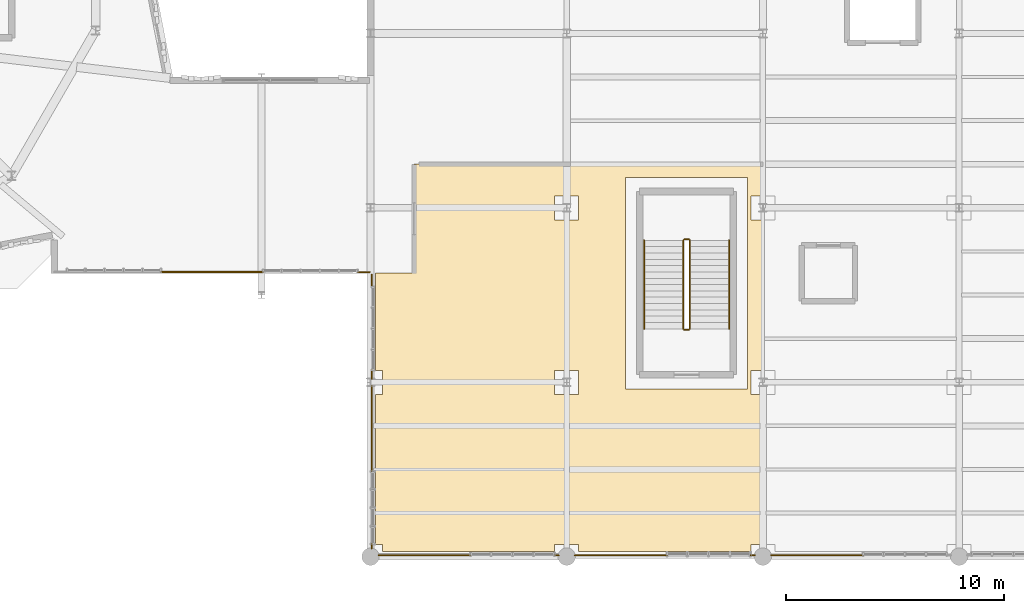
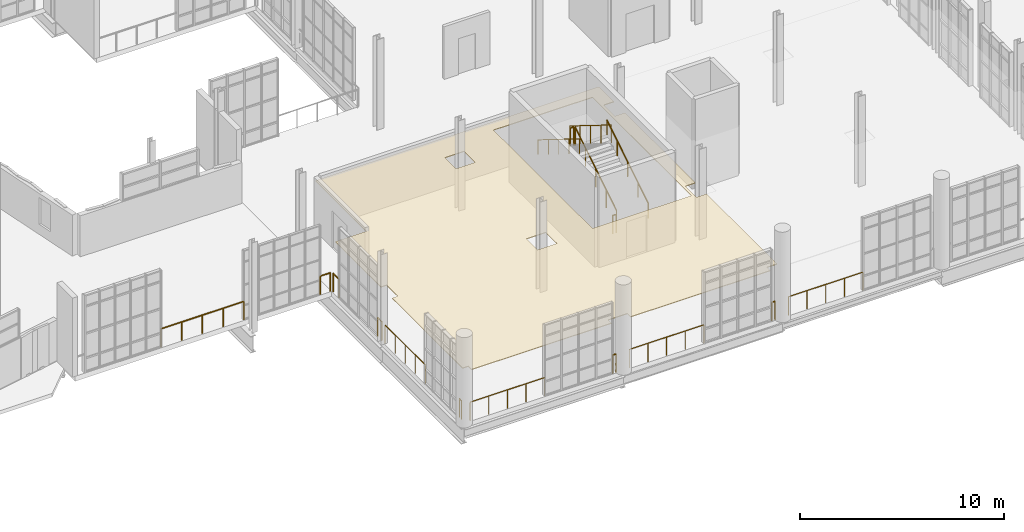
# One storey, part 135 of 142: 17 railings, 1 covering.
"""IFC4 building model written with IfcOpenShell, lengths in metres."""

from ifc_helpers import new_model, si_unit, direction, frame, origin, origin_2d, place, context, subcontext, project, spatial, polyline, circle, outline, extrude, material, layer, layer_set, type_object, element, save


model = new_model("IFC4")

# Units and contexts
model_context = context("Model", 3, precision=1e-05, world=origin(), true_north=direction((0.0, 1.0)))
body_context = subcontext(model_context, "Body", "Model", "MODEL_VIEW")
ifc_project = project(units=[si_unit("LENGTHUNIT", "METRE"), si_unit("AREAUNIT", "SQUARE_METRE"), si_unit("VOLUMEUNIT", "CUBIC_METRE"), si_unit("PLANEANGLEUNIT", "RADIAN"), si_unit("MASSUNIT", "GRAM", prefix="KILO"), si_unit("THERMODYNAMICTEMPERATUREUNIT", "KELVIN"), si_unit("POWERUNIT", "WATT")], contexts=[model_context])

# Site, building, storey
site_placement = place(None, origin())
site = spatial("IfcSite", under=ifc_project, at=site_placement, CompositionType="ELEMENT")
building_placement = place(site_placement, origin())
building = spatial("IfcBuilding", under=site, at=building_placement, Name="Zelmaris Science Centre", CompositionType="ELEMENT")
storey_placement = place(building_placement, frame((0.0, 0.0, 5.39990234375)))
storey = spatial("IfcBuildingStorey", under=building, at=storey_placement, Name="L01", CompositionType="ELEMENT", Elevation=5.39990234375)

# Covering
ifc_material_1 = material(Name="Perforated mineral-fibre acoustic ceiling tile")
ifc_layer = layer(ifc_material_1, 0.0400390625, Name="Perforated mineral-fibre acoustic ceiling tile")
ifc_layer_set = layer_set([ifc_layer], Name="Perforated mineral-fibre acoustic ceiling tile")
covering_type = type_object("IfcCoveringType", Name="Acoustic Ceiling CLG-01 40mm", PredefinedType="CEILING", material=ifc_layer_set)
covering_placement = place(storey_placement, frame((0.0, 0.0, 2.85009765625)))
element("IfcCovering", 1, at=covering_placement, inside=storey, type_object=covering_type, Name="L01 Marine Biology Wet Laboratory acoustic ceiling", PredefinedType="CEILING", context=body_context, shape_type="SweptSolid", body=[
    extrude(outline(polyline([(126.001953125, 26.02001953125), (126.00390625, 26.01953125), (126.005859375, 26.01904296875), (126.0078125, 26.0185546875), (126.009521484375, 26.017578125), (126.010986328125, 26.0166015625), (126.0126953125, 26.015380859375), (126.01416015625, 26.01416015625), (126.015380859375, 26.0126953125), (126.0166015625, 26.010986328125), (126.017578125, 26.009521484375), (126.0185546875, 26.0078125), (126.01904296875, 26.005859375), (126.01953125, 26.00390625), (126.02001953125, 26.001953125), (126.02001953125, 26.0), (126.02001953125, 24.550048828125), (125.449951171875, 24.550048828125), (125.449951171875, 23.449951171875), (126.02001953125, 23.449951171875), (126.02001953125, 16.550048828125), (125.449951171875, 16.550048828125), (125.449951171875, 15.449951171875), (126.02001953125, 15.449951171875), (126.02001953125, 8.550048828125), (125.449951171875, 8.550048828125), (125.449951171875, 8.22998046875), (117.550048828125, 8.22998046875), (117.550048828125, 8.550048828125), (116.449951171875, 8.550048828125), (116.449951171875, 8.22998046875), (108.550048828125, 8.22998046875), (108.550048828125, 8.550048828125), (108.22998046875, 8.550048828125), (108.22998046875, 15.449951171875), (108.550048828125, 15.449951171875), (108.550048828125, 16.550048828125), (108.22998046875, 16.550048828125), (108.22998046875, 20.9951171875), (108.22998046875, 20.9970703125), (108.23046875, 20.998779296875), (108.23095703125, 21.000732421875), (108.2314453125, 21.002685546875), (108.232421875, 21.00439453125), (108.2333984375, 21.006103515625), (108.234619140625, 21.0078125), (108.23583984375, 21.009033203125), (108.2373046875, 21.010498046875), (108.239013671875, 21.01171875), (108.240478515625, 21.0126953125), (108.2421875, 21.013427734375), (108.244140625, 21.01416015625), (108.24609375, 21.0146484375), (108.248046875, 21.014892578125), (108.25, 21.014892578125), (109.98486328125, 21.0185546875), (109.985107421875, 26.0), (109.985107421875, 26.001953125), (109.9853515625, 26.00390625), (109.98583984375, 26.005859375), (109.986572265625, 26.0078125), (109.9873046875, 26.009521484375), (109.98828125, 26.010986328125), (109.989501953125, 26.0126953125), (109.990966796875, 26.01416015625), (109.9921875, 26.015380859375), (109.993896484375, 26.0166015625), (109.99560546875, 26.017578125), (109.997314453125, 26.0185546875), (109.999267578125, 26.01904296875), (110.001220703125, 26.01953125), (110.0029296875, 26.02001953125), (110.0048828125, 26.02001953125), (126.0, 26.02001953125), (126.001953125, 26.02001953125)]), holes=[polyline([(119.699951171875, 25.39990234375), (119.699951171875, 15.699951171875), (125.300048828125, 15.699951171875), (125.300048828125, 25.39990234375), (119.699951171875, 25.39990234375)]), polyline([(116.449951171875, 15.449951171875), (117.550048828125, 15.449951171875), (117.550048828125, 16.550048828125), (116.449951171875, 16.550048828125), (116.449951171875, 15.449951171875)]), polyline([(117.550048828125, 23.449951171875), (117.550048828125, 24.550048828125), (116.449951171875, 24.550048828125), (116.449951171875, 23.449951171875), (117.550048828125, 23.449951171875)])]), origin(), (0.0, 0.0, 1.0), 0.0400390625),
])

# Railings
ifc_material_2 = material(Name="Architectural bronze alloy C28000")
railing_type_1 = type_object("IfcRailingType", Name="Balustrade GD-01 H1120", PredefinedType="BALUSTRADE", material=ifc_material_2)
railing_1_placement = place(storey_placement, frame((130.590087890625, 8.06005859375, 0.0)))
element("IfcRailing", 2, at=railing_1_placement, inside=storey, type_object=railing_type_1, Name="L01 Perimeter safety balustrade 81", PredefinedType="BALUSTRADE", context=body_context, shape_type="SweptSolid", body=[
    extrude(circle(Radius=0.02392578125, at=origin_2d()), frame((0.0, 0.0, 1.09619140625), z_axis=(-1.0, 0.0, 0.0), x_axis=(0.0, -1.0, 0.0)), (0.0, 0.0, 1.0), 4.219970703125),
    extrude(circle(Radius=0.02099609375, at=origin_2d()), origin(), (0.0, 0.0, 1.0), 1.072021484375),
    extrude(circle(Radius=0.02099609375, at=origin_2d()), frame((-1.054931640625, 0.0, 0.0)), (0.0, 0.0, 1.0), 1.072021484375),
    extrude(circle(Radius=0.02099609375, at=origin_2d()), frame((-2.10986328125, 0.0, 0.0)), (0.0, 0.0, 1.0), 1.072021484375),
    extrude(circle(Radius=0.02099609375, at=origin_2d()), frame((-3.1650390625, 0.0, 0.0)), (0.0, 0.0, 1.0), 1.072021484375),
    extrude(circle(Radius=0.02099609375, at=origin_2d()), frame((-4.219970703125, 0.0, 0.0)), (0.0, 0.0, 1.0), 1.072021484375),
])
railing_2_placement = place(storey_placement, frame((125.6298828125, 8.06005859375, 0.0)))
element("IfcRailing", 3, at=railing_2_placement, inside=storey, type_object=railing_type_1, Name="L01 Perimeter safety balustrade 82", PredefinedType="BALUSTRADE", context=body_context, shape_type="SweptSolid", body=[
    extrude(circle(Radius=0.02392578125, at=origin_2d()), frame((0.0, 0.0, 1.09619140625), z_axis=(-1.0, 0.0, 0.0), x_axis=(0.0, -1.0, 0.0)), (0.0, 0.0, 1.0), 0.199951171875),
    extrude(circle(Radius=0.02099609375, at=origin_2d()), origin(), (0.0, 0.0, 1.0), 1.072021484375),
    extrude(circle(Radius=0.02099609375, at=origin_2d()), frame((-0.199951171875, 0.0, 0.0)), (0.0, 0.0, 1.0), 1.072021484375),
])
railing_3_placement = place(storey_placement, frame((121.590087890625, 8.06005859375, 0.0)))
element("IfcRailing", 4, at=railing_3_placement, inside=storey, type_object=railing_type_1, Name="L01 Perimeter safety balustrade 83", PredefinedType="BALUSTRADE", context=body_context, shape_type="SweptSolid", body=[
    extrude(circle(Radius=0.02392578125, at=origin_2d()), frame((0.0, 0.0, 1.09619140625), z_axis=(-1.0, 0.0, 0.0), x_axis=(0.0, -1.0, 0.0)), (0.0, 0.0, 1.0), 4.219970703125),
    extrude(circle(Radius=0.02099609375, at=origin_2d()), origin(), (0.0, 0.0, 1.0), 1.072021484375),
    extrude(circle(Radius=0.02099609375, at=origin_2d()), frame((-1.054931640625, 0.0, 0.0)), (0.0, 0.0, 1.0), 1.072021484375),
    extrude(circle(Radius=0.02099609375, at=origin_2d()), frame((-2.10986328125, 0.0, 0.0)), (0.0, 0.0, 1.0), 1.072021484375),
    extrude(circle(Radius=0.02099609375, at=origin_2d()), frame((-3.1650390625, 0.0, 0.0)), (0.0, 0.0, 1.0), 1.072021484375),
    extrude(circle(Radius=0.02099609375, at=origin_2d()), frame((-4.219970703125, 0.0, 0.0)), (0.0, 0.0, 1.0), 1.072021484375),
])
railing_4_placement = place(storey_placement, frame((116.6298828125, 8.06005859375, 0.0)))
element("IfcRailing", 5, at=railing_4_placement, inside=storey, type_object=railing_type_1, Name="L01 Perimeter safety balustrade 84", PredefinedType="BALUSTRADE", context=body_context, shape_type="SweptSolid", body=[
    extrude(circle(Radius=0.02392578125, at=origin_2d()), frame((0.0, 0.0, 1.09619140625), z_axis=(-1.0, 0.0, 0.0), x_axis=(0.0, -1.0, 0.0)), (0.0, 0.0, 1.0), 0.199951171875),
    extrude(circle(Radius=0.02099609375, at=origin_2d()), origin(), (0.0, 0.0, 1.0), 1.072021484375),
    extrude(circle(Radius=0.02099609375, at=origin_2d()), frame((-0.199951171875, 0.0, 0.0)), (0.0, 0.0, 1.0), 1.072021484375),
])
railing_5_placement = place(storey_placement, frame((112.590087890625, 8.06005859375, 0.0)))
element("IfcRailing", 6, at=railing_5_placement, inside=storey, type_object=railing_type_1, Name="L01 Perimeter safety balustrade 85", PredefinedType="BALUSTRADE", context=body_context, shape_type="SweptSolid", body=[
    extrude(circle(Radius=0.02392578125, at=origin_2d()), frame((0.0, 0.0, 1.09619140625), z_axis=(-1.0, 0.0, 0.0), x_axis=(0.0, -1.0, 0.0)), (0.0, 0.0, 1.0), 4.219970703125),
    extrude(circle(Radius=0.02099609375, at=origin_2d()), origin(), (0.0, 0.0, 1.0), 1.072021484375),
    extrude(circle(Radius=0.02099609375, at=origin_2d()), frame((-1.054931640625, 0.0, 0.0)), (0.0, 0.0, 1.0), 1.072021484375),
    extrude(circle(Radius=0.02099609375, at=origin_2d()), frame((-2.10986328125, 0.0, 0.0)), (0.0, 0.0, 1.0), 1.072021484375),
    extrude(circle(Radius=0.02099609375, at=origin_2d()), frame((-3.1650390625, 0.0, 0.0)), (0.0, 0.0, 1.0), 1.072021484375),
    extrude(circle(Radius=0.02099609375, at=origin_2d()), frame((-4.219970703125, 0.0, 0.0)), (0.0, 0.0, 1.0), 1.072021484375),
])
railing_6_placement = place(storey_placement, frame((108.06005859375, 8.3701171875, 0.0)))
element("IfcRailing", 7, at=railing_6_placement, inside=storey, type_object=railing_type_1, Name="L01 Perimeter safety balustrade 86", PredefinedType="BALUSTRADE", context=body_context, shape_type="SweptSolid", body=[
    extrude(circle(Radius=0.02392578125, at=origin_2d()), frame((0.0, 0.0, 1.09619140625), z_axis=(0.0, 1.0, 0.0), x_axis=(-1.0, 0.0, 0.0)), (0.0, 0.0, 1.0), 0.199951171875),
    extrude(circle(Radius=0.02099609375, at=origin_2d()), origin(), (0.0, 0.0, 1.0), 1.072021484375),
    extrude(circle(Radius=0.02099609375, at=origin_2d()), frame((0.0, 0.199951171875, 0.0)), (0.0, 0.0, 1.0), 1.072021484375),
])
railing_7_placement = place(storey_placement, frame((108.06005859375, 11.909912109375, 0.0)))
element("IfcRailing", 8, at=railing_7_placement, inside=storey, type_object=railing_type_1, Name="L01 Perimeter safety balustrade 87", PredefinedType="BALUSTRADE", context=body_context, shape_type="SweptSolid", body=[
    extrude(circle(Radius=0.02392578125, at=origin_2d()), frame((0.0, 0.0, 1.09619140625), z_axis=(0.0, 1.0, 0.0), x_axis=(-1.0, 0.0, 0.0)), (0.0, 0.0, 1.0), 3.93603515625),
    extrude(circle(Radius=0.02099609375, at=origin_2d()), origin(), (0.0, 0.0, 1.0), 1.072021484375),
    extrude(circle(Radius=0.02099609375, at=origin_2d()), frame((0.0, 0.98388671875, 0.0)), (0.0, 0.0, 1.0), 1.072021484375),
    extrude(circle(Radius=0.02099609375, at=origin_2d()), frame((0.0, 1.968017578125, 0.0)), (0.0, 0.0, 1.0), 1.072021484375),
    extrude(circle(Radius=0.02099609375, at=origin_2d()), frame((0.0, 2.9521484375, 0.0)), (0.0, 0.0, 1.0), 1.072021484375),
    extrude(circle(Radius=0.02099609375, at=origin_2d()), frame((0.0, 3.93603515625, 0.0)), (0.0, 0.0, 1.0), 1.072021484375),
])
railing_8_placement = place(storey_placement, frame((108.06005859375, 16.154052734375, 0.0)))
element("IfcRailing", 9, at=railing_8_placement, inside=storey, type_object=railing_type_1, Name="L01 Perimeter safety balustrade 88", PredefinedType="BALUSTRADE", context=body_context, shape_type="SweptSolid", body=[
    extrude(circle(Radius=0.02392578125, at=origin_2d()), frame((0.0, 0.0, 1.09619140625), z_axis=(0.0, 1.0, 0.0), x_axis=(-1.0, 0.0, 0.0)), (0.0, 0.0, 1.0), 0.416015625),
    extrude(circle(Radius=0.02099609375, at=origin_2d()), origin(), (0.0, 0.0, 1.0), 1.072021484375),
    extrude(circle(Radius=0.02099609375, at=origin_2d()), frame((0.0, 0.416015625, 0.0)), (0.0, 0.0, 1.0), 1.072021484375),
])
railing_9_placement = place(storey_placement, frame((108.06005859375, 20.3701171875, 0.0)))
element("IfcRailing", 10, at=railing_9_placement, inside=storey, type_object=railing_type_1, Name="L01 Perimeter safety balustrade 89", PredefinedType="BALUSTRADE", context=body_context, shape_type="SweptSolid", body=[
    extrude(circle(Radius=0.02392578125, at=origin_2d()), frame((0.0, 0.0, 1.09619140625), z_axis=(0.0, 1.0, 0.0), x_axis=(-1.0, 0.0, 0.0)), (0.0, 0.0, 1.0), 0.56982421875),
    extrude(circle(Radius=0.02099609375, at=origin_2d()), origin(), (0.0, 0.0, 1.0), 1.072021484375),
    extrude(circle(Radius=0.02099609375, at=origin_2d()), frame((0.0, 0.56982421875, 0.0)), (0.0, 0.0, 1.0), 1.072021484375),
])
railing_10_placement = place(storey_placement, frame((107.962890625, 21.055419921875, 0.0)))
element("IfcRailing", 11, at=railing_10_placement, inside=storey, type_object=railing_type_1, Name="L01 Perimeter safety balustrade 90", PredefinedType="BALUSTRADE", context=body_context, shape_type="SweptSolid", body=[
    extrude(circle(Radius=0.02392578125, at=origin_2d()), frame((0.0, 0.0, 1.09619140625), z_axis=(-0.999999908216, 0.000428448975, 0.0), x_axis=(-0.000428448975, -0.999999908216, 0.0)), (0.0, 0.0, 1.0), 0.56982421875),
    extrude(circle(Radius=0.02099609375, at=origin_2d()), origin(), (0.0, 0.0, 1.0), 1.072021484375),
    extrude(circle(Radius=0.02099609375, at=origin_2d()), frame((-0.56982421875, 0.000244140625, 0.0)), (0.0, 0.0, 1.0), 1.072021484375),
])
railing_11_placement = place(storey_placement, frame((103.072021484375, 21.056884765625, 0.0)))
element("IfcRailing", 12, at=railing_11_placement, inside=storey, type_object=railing_type_1, Name="L01 Perimeter safety balustrade 91", PredefinedType="BALUSTRADE", context=body_context, shape_type="SweptSolid", body=[
    extrude(circle(Radius=0.02392578125, at=origin_2d()), frame((0.0, 0.0, 1.09619140625), z_axis=(-0.999999933352, 0.000365096726, 0.0), x_axis=(-0.000365096726, -0.999999933352, 0.0)), (0.0, 0.0, 1.0), 4.680908203125),
    extrude(circle(Radius=0.02099609375, at=origin_2d()), origin(), (0.0, 0.0, 1.0), 1.072021484375),
    extrude(circle(Radius=0.02099609375, at=origin_2d()), frame((-1.170166015625, 0.00048828125, 0.0)), (0.0, 0.0, 1.0), 1.072021484375),
    extrude(circle(Radius=0.02099609375, at=origin_2d()), frame((-2.34033203125, 0.0009765625, 0.0)), (0.0, 0.0, 1.0), 1.072021484375),
    extrude(circle(Radius=0.02099609375, at=origin_2d()), frame((-3.5107421875, 0.001220703125, 0.0)), (0.0, 0.0, 1.0), 1.072021484375),
    extrude(circle(Radius=0.02099609375, at=origin_2d()), frame((-4.680908203125, 0.001708984375, 0.0)), (0.0, 0.0, 1.0), 1.072021484375),
])
railing_12_placement = place(storey_placement, frame((122.64990234375, 18.449951171875, 0.18017578125)))
element("IfcRailing", 13, at=railing_12_placement, inside=storey, type_object=railing_type_1, Name="L01 ST-4 stair guard 1", PredefinedType="BALUSTRADE", context=body_context, shape_type="SweptSolid", body=[
    extrude(circle(Radius=0.02392578125, at=origin_2d()), frame((0.0, 0.0, 1.076171875), z_axis=(0.0, 0.849641744969, 0.527360318194), x_axis=(-1.0, 0.0, 0.0)), (0.0, 0.0, 1.0), 4.778564453125),
    extrude(circle(Radius=0.02099609375, at=origin_2d()), origin(), (0.0, 0.0, 1.0), 1.052001953125),
    extrude(circle(Radius=0.02099609375, at=origin_2d()), frame((0.0, 1.01513671875, 0.6298828125)), (0.0, 0.0, 1.0), 1.052001953125),
    extrude(circle(Radius=0.02099609375, at=origin_2d()), frame((0.0, 2.030029296875, 1.260009765625)), (0.0, 0.0, 1.0), 1.052001953125),
    extrude(circle(Radius=0.02099609375, at=origin_2d()), frame((0.0, 3.044921875, 1.89013671875)), (0.0, 0.0, 1.0), 1.052001953125),
    extrude(circle(Radius=0.02099609375, at=origin_2d()), frame((0.0, 4.06005859375, 2.52001953125)), (0.0, 0.0, 1.0), 1.052001953125),
])
railing_13_placement = place(storey_placement, frame((122.60009765625, 22.56005859375, 2.7001953125)))
element("IfcRailing", 14, at=railing_13_placement, inside=storey, type_object=railing_type_1, Name="L01 ST-4 stair guard 2", PredefinedType="BALUSTRADE", context=body_context, shape_type="SweptSolid", body=[
    extrude(circle(Radius=0.02392578125, at=origin_2d()), frame((0.0, 0.0, 1.076171875), z_axis=(-1.0, 0.0, 0.0), x_axis=(0.0, -1.0, 0.0)), (0.0, 0.0, 1.0), 0.2001953125),
    extrude(circle(Radius=0.02099609375, at=origin_2d()), origin(), (0.0, 0.0, 1.0), 1.052001953125),
    extrude(circle(Radius=0.02099609375, at=origin_2d()), frame((-0.2001953125, 0.0, 0.0)), (0.0, 0.0, 1.0), 1.052001953125),
])
railing_14_placement = place(storey_placement, frame((122.35009765625, 22.510009765625, 2.880126953125)))
element("IfcRailing", 15, at=railing_14_placement, inside=storey, type_object=railing_type_1, Name="L01 ST-4 stair guard 3", PredefinedType="BALUSTRADE", context=body_context, shape_type="SweptSolid", body=[
    extrude(circle(Radius=0.02392578125, at=origin_2d()), frame((0.0, 0.0, 1.076171875), z_axis=(0.0, -0.849641744969, 0.527360318194), x_axis=(1.0, 0.0, 0.0)), (0.0, 0.0, 1.0), 4.778564453125),
    extrude(circle(Radius=0.02099609375, at=origin_2d()), origin(), (0.0, 0.0, 1.0), 1.052001953125),
    extrude(circle(Radius=0.02099609375, at=origin_2d()), frame((0.0, -1.01513671875, 0.6298828125)), (0.0, 0.0, 1.0), 1.052001953125),
    extrude(circle(Radius=0.02099609375, at=origin_2d()), frame((0.0, -2.030029296875, 1.260009765625)), (0.0, 0.0, 1.0), 1.052001953125),
    extrude(circle(Radius=0.02099609375, at=origin_2d()), frame((0.0, -3.044921875, 1.89013671875)), (0.0, 0.0, 1.0), 1.052001953125),
    extrude(circle(Radius=0.02099609375, at=origin_2d()), frame((0.0, -4.06005859375, 2.52001953125)), (0.0, 0.0, 1.0), 1.052001953125),
])
railing_15_placement = place(storey_placement, frame((122.60009765625, 18.39990234375, 0.0)))
element("IfcRailing", 16, at=railing_15_placement, inside=storey, type_object=railing_type_1, Name="L01 ST-4 stair guard 4", PredefinedType="BALUSTRADE", context=body_context, shape_type="SweptSolid", body=[
    extrude(circle(Radius=0.02392578125, at=origin_2d()), frame((0.0, 0.0, 1.076171875), z_axis=(-1.0, 0.0, 0.0), x_axis=(0.0, -1.0, 0.0)), (0.0, 0.0, 1.0), 0.2001953125),
    extrude(circle(Radius=0.02099609375, at=origin_2d()), origin(), (0.0, 0.0, 1.0), 1.052001953125),
    extrude(circle(Radius=0.02099609375, at=origin_2d()), frame((-0.2001953125, 0.0, 0.0)), (0.0, 0.0, 1.0), 1.052001953125),
])
railing_type_2 = type_object("IfcRailingType", Name="Handrail HR-01 H900", PredefinedType="HANDRAIL", material=ifc_material_2)
railing_16_placement = place(storey_placement, frame((124.449951171875, 18.449951171875, 0.18017578125)))
element("IfcRailing", 17, at=railing_16_placement, inside=storey, type_object=railing_type_2, Name="L01 ST-4 stair handrail 1", PredefinedType="HANDRAIL", context=body_context, shape_type="SweptSolid", body=[
    extrude(circle(Radius=0.02392578125, at=origin_2d()), frame((0.0, 0.0, 0.8759765625), z_axis=(0.0, 0.849641744969, 0.527360318194), x_axis=(-1.0, 0.0, 0.0)), (0.0, 0.0, 1.0), 4.778564453125),
    extrude(circle(Radius=0.02099609375, at=origin_2d()), origin(), (0.0, 0.0, 1.0), 0.851806640625),
    extrude(circle(Radius=0.02099609375, at=origin_2d()), frame((0.0, 1.01513671875, 0.6298828125)), (0.0, 0.0, 1.0), 0.851806640625),
    extrude(circle(Radius=0.02099609375, at=origin_2d()), frame((0.0, 2.030029296875, 1.260009765625)), (0.0, 0.0, 1.0), 0.851806640625),
    extrude(circle(Radius=0.02099609375, at=origin_2d()), frame((0.0, 3.044921875, 1.89013671875)), (0.0, 0.0, 1.0), 0.851806640625),
    extrude(circle(Radius=0.02099609375, at=origin_2d()), frame((0.0, 4.06005859375, 2.52001953125)), (0.0, 0.0, 1.0), 0.851806640625),
])
railing_17_placement = place(storey_placement, frame((120.550048828125, 22.510009765625, 2.880126953125)))
element("IfcRailing", 18, at=railing_17_placement, inside=storey, type_object=railing_type_2, Name="L01 ST-4 stair handrail 2", PredefinedType="HANDRAIL", context=body_context, shape_type="SweptSolid", body=[
    extrude(circle(Radius=0.02392578125, at=origin_2d()), frame((0.0, 0.0, 0.8759765625), z_axis=(0.0, -0.849641744969, 0.527360318194), x_axis=(1.0, 0.0, 0.0)), (0.0, 0.0, 1.0), 4.778564453125),
    extrude(circle(Radius=0.02099609375, at=origin_2d()), origin(), (0.0, 0.0, 1.0), 0.851806640625),
    extrude(circle(Radius=0.02099609375, at=origin_2d()), frame((0.0, -1.01513671875, 0.6298828125)), (0.0, 0.0, 1.0), 0.851806640625),
    extrude(circle(Radius=0.02099609375, at=origin_2d()), frame((0.0, -2.030029296875, 1.260009765625)), (0.0, 0.0, 1.0), 0.851806640625),
    extrude(circle(Radius=0.02099609375, at=origin_2d()), frame((0.0, -3.044921875, 1.89013671875)), (0.0, 0.0, 1.0), 0.851806640625),
    extrude(circle(Radius=0.02099609375, at=origin_2d()), frame((0.0, -4.06005859375, 2.52001953125)), (0.0, 0.0, 1.0), 0.851806640625),
])

save(model, "model.ifc")
